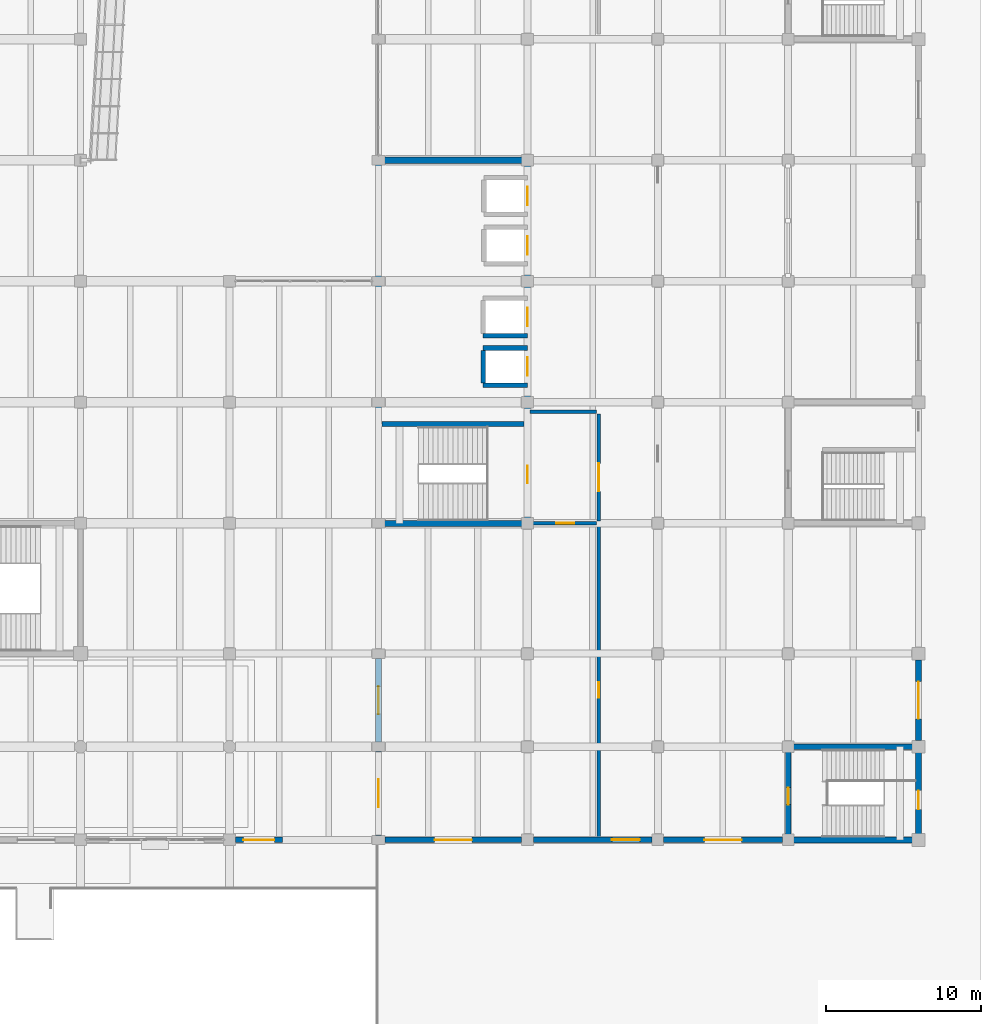
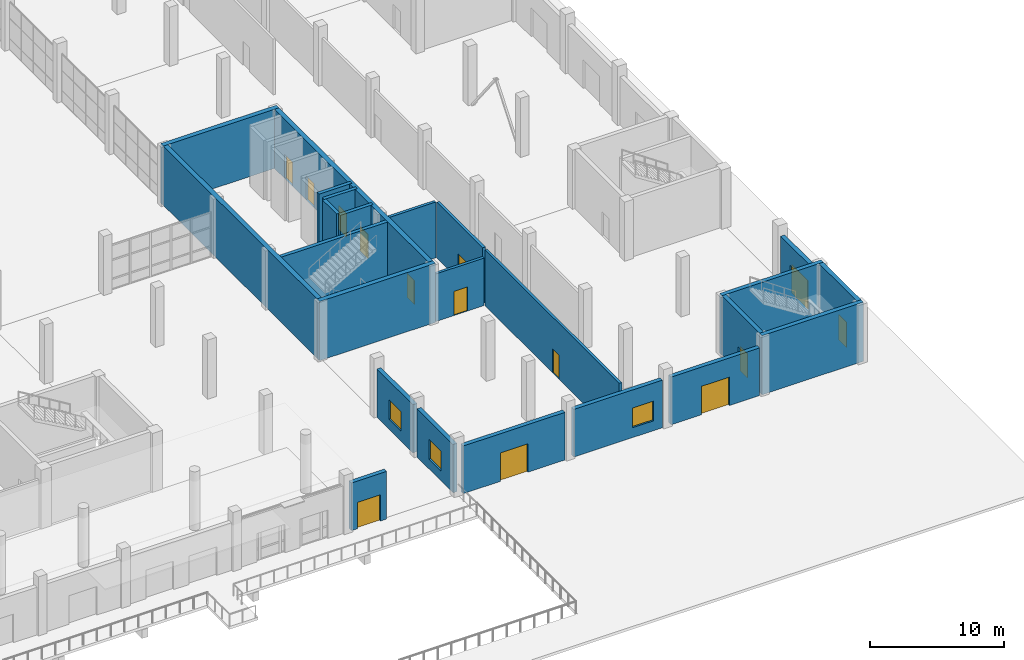
# One storey, part 66 of 78: 24 walls, 14 doors, 3 windows, 17 openings.
"""IFC4 building model written with IfcOpenShell, lengths in metres."""

from ifc_helpers import new_model, si_unit, direction, frame, frame_2d, origin, place, context, subcontext, project, spatial, rectangle, extrude, material, layer, layer_set, type_object, element, fill, save


model = new_model("IFC4")

# Units and contexts
model_context = context("Model", 3, precision=1e-05, world=origin(), true_north=direction((0.0, 1.0)))
body_context = subcontext(model_context, "Body", "Model", "MODEL_VIEW")
ifc_project = project(units=[si_unit("LENGTHUNIT", "METRE"), si_unit("AREAUNIT", "SQUARE_METRE"), si_unit("VOLUMEUNIT", "CUBIC_METRE"), si_unit("PLANEANGLEUNIT", "RADIAN"), si_unit("MASSUNIT", "GRAM", prefix="KILO")], contexts=[model_context])

# Site, building, storey
site_placement = place(None, origin())
site = spatial("IfcSite", under=ifc_project, at=site_placement, CompositionType="ELEMENT")
building_placement = place(site_placement, origin())
building = spatial("IfcBuilding", under=site, at=building_placement, Name="Pellamere Symphony Hall", CompositionType="ELEMENT")
storey_placement = place(building_placement, origin())
storey = spatial("IfcBuildingStorey", under=building, at=storey_placement, Name="L00", CompositionType="ELEMENT", Elevation=0.0)

# Wall, opening, door
ifc_material_1 = material(Name="Precast concrete 40 MPa", Category="concrete")
ifc_layer_1 = layer(ifc_material_1, 0.360107421875, Name="Precast concrete 40 MPa")
ifc_layer_set_1 = layer_set([ifc_layer_1], Name="Precast concrete 40 MPa")
wall_type_1 = type_object("IfcWallType", Name="Exterior Wall EW-01 360mm", PredefinedType="SOLIDWALL", material=ifc_layer_set_1)
wall_1_placement = place(storey_placement, frame((128.77490234375, 18.0, 0.0), z_axis=(0.0, 0.0, 1.0), x_axis=(1.0, 0.0, 0.0)))
wall_1 = element("IfcWall", 1, at=wall_1_placement, inside=storey, type_object=wall_type_1, Name="Exterior Wall EW-01-048 (L00)", PredefinedType="SOLIDWALL", context=body_context, shape_type="SweptSolid", body=[
    extrude(rectangle(XDim=3.025146484375, YDim=0.360107421875, at=frame_2d((1.5126953125, 0.0))), origin(), (0.0, 0.0, 1.0), 4.35009765625),
])
opening_1_placement = place(wall_1_placement, frame((0.512451171875, 0.0, 0.0)))
opening_1 = element("IfcOpeningElement", 2, at=opening_1_placement, cuts=wall_1, Name="Opening E12", PredefinedType="OPENING", context=body_context, shape_type="SweptSolid", body=[
    extrude(rectangle(XDim=2.0, YDim=2.39990234375, at=frame_2d((1.0, 1.199951171875))), frame((0.0, 0.18994140625, 0.0), z_axis=(0.0, -1.0, 0.0), x_axis=(1.0, 0.0, 0.0)), (0.0, 0.0, 1.0), 0.380126953125),
])
ifc_material_2 = material(Name="Thermally Broken Bronze-Anodised Aluminium Acoustic Door", Category="aluminium")
door_type_1 = type_object("IfcDoorType", Name="Exterior Door ED-02 2000x2400", OperationType="NOTDEFINED", PredefinedType="DOOR", material=ifc_material_2)
door_1_placement = place(opening_1_placement, frame((2.0, 0.0, 0.0), z_axis=(0.0, 0.0, 1.0), x_axis=(-1.0, 0.0, 0.0)))
door_1 = element("IfcDoor", 3, at=door_1_placement, inside=storey, type_object=door_type_1, Name="East Promenade Exit Door", OperationType="DOUBLE_DOOR_SINGLE_SWING", OverallHeight=2.39990234375, OverallWidth=2.0, PredefinedType="DOOR", context=body_context, shape_type="SweptSolid", body=[
    extrude(rectangle(XDim=2.0, YDim=2.39990234375, at=frame_2d((1.0, 1.199951171875))), frame((0.0, 0.02490234375, 0.0), z_axis=(0.0, -1.0, 0.0), x_axis=(1.0, 0.0, 0.0)), (0.0, 0.0, 1.0), 0.050048828125),
])
fill(opening_1, door_1)

wall_2_placement = place(storey_placement, frame((138.425048828125, 18.0, 0.0), z_axis=(0.0, 0.0, 1.0), x_axis=(1.0, 0.0, 0.0)))
wall_2 = element("IfcWall", 4, at=wall_2_placement, inside=storey, type_object=wall_type_1, Name="Exterior Wall EW-01-068 (L00)", PredefinedType="SOLIDWALL", context=body_context, shape_type="SweptSolid", body=[
    extrude(rectangle(XDim=8.800048828125, YDim=0.360107421875, at=frame_2d((4.39990234375, 0.0))), origin(), (0.0, 0.0, 1.0), 4.35009765625),
])
opening_2_placement = place(wall_2_placement, frame((3.199951171875, 0.0, 0.0)))
opening_2 = element("IfcOpeningElement", 5, at=opening_2_placement, cuts=wall_2, Name="Opening E13138", PredefinedType="OPENING", context=body_context, shape_type="SweptSolid", body=[
    extrude(rectangle(XDim=2.39990234375, YDim=2.60009765625, at=frame_2d((1.199951171875, 1.300048828125))), frame((0.0, 0.18994140625, 0.0), z_axis=(0.0, -1.0, 0.0), x_axis=(1.0, 0.0, 0.0)), (0.0, 0.0, 1.0), 0.380126953125),
])
door_type_2 = type_object("IfcDoorType", Name="Exterior Door ED-01 2400x2600", OperationType="NOTDEFINED", PredefinedType="DOOR", material=ifc_material_2)
door_2_placement = place(opening_2_placement, frame((2.39990234375, 0.0, 0.0), z_axis=(0.0, 0.0, 1.0), x_axis=(-1.0, 0.0, 0.0)))
door_2 = element("IfcDoor", 6, at=door_2_placement, inside=storey, type_object=door_type_2, Name="Conservatory Wing South Plaza Entrance", OperationType="DOUBLE_DOOR_SINGLE_SWING", OverallHeight=2.60009765625, OverallWidth=2.39990234375, PredefinedType="DOOR", context=body_context, shape_type="SweptSolid", body=[
    extrude(rectangle(XDim=2.39990234375, YDim=2.60009765625, at=frame_2d((1.199951171875, 1.300048828125))), frame((0.0, 0.02490234375, 0.0), z_axis=(0.0, -1.0, 0.0), x_axis=(1.0, 0.0, 0.0)), (0.0, 0.0, 1.0), 0.050048828125),
])
fill(opening_2, door_2)

# Wall, opening, window
wall_3_placement = place(storey_placement, frame((147.97509765625, 18.0, 0.0), z_axis=(0.0, 0.0, 1.0), x_axis=(1.0, 0.0, 0.0)))
wall_3 = element("IfcWall", 7, at=wall_3_placement, inside=storey, type_object=wall_type_1, Name="Exterior Wall EW-01-069 (L00)", PredefinedType="SOLIDWALL", context=body_context, shape_type="SweptSolid", body=[
    extrude(rectangle(XDim=7.64990234375, YDim=0.360107421875, at=frame_2d((3.824951171875, 0.0))), origin(), (0.0, 0.0, 1.0), 4.35009765625),
])
opening_3_placement = place(wall_3_placement, frame((5.06689453125, 0.0, 0.89990234375)))
opening_3 = element("IfcOpeningElement", 8, at=opening_3_placement, cuts=wall_3, Name="Opening W042", PredefinedType="OPENING", context=body_context, shape_type="SweptSolid", body=[
    extrude(rectangle(XDim=1.800048828125, YDim=1.800048828125, at=frame_2d((0.89990234375, 0.89990234375))), frame((0.0, 0.18994140625, 0.0), z_axis=(0.0, -1.0, 0.0), x_axis=(1.0, 0.0, 0.0)), (0.0, 0.0, 1.0), 0.380126953125),
])
ifc_material_3 = material(Name="Thermally Broken Aluminium Triple-Glazed Acoustic Window", Category="aluminium")
window_type = type_object("IfcWindowType", Name="Window WN-03 1800x1800", PartitioningType="DOUBLE_PANEL_VERTICAL", PredefinedType="WINDOW", material=ifc_material_3)
window_1_placement = place(opening_3_placement, origin())
window_1 = element("IfcWindow", 9, at=window_1_placement, inside=storey, type_object=window_type, Name="Exterior Window W042 (L00)", OverallHeight=1.800048828125, OverallWidth=1.800048828125, PartitioningType="SINGLE_PANEL", PredefinedType="WINDOW", context=body_context, shape_type="SweptSolid", body=[
    extrude(rectangle(XDim=1.800048828125, YDim=1.800048828125, at=frame_2d((0.89990234375, 0.89990234375))), frame((0.0, 0.030029296875, 0.0), z_axis=(0.0, -1.0, 0.0), x_axis=(1.0, 0.0, 0.0)), (0.0, 0.0, 1.0), 0.06005859375),
])
fill(opening_3, window_1)

# Wall, opening, door
wall_4_placement = place(storey_placement, frame((156.375, 18.0, 0.0), z_axis=(0.0, 0.0, 1.0), x_axis=(1.0, 0.0, 0.0)))
wall_4 = element("IfcWall", 10, at=wall_4_placement, inside=storey, type_object=wall_type_1, Name="Exterior Wall EW-01-070 (L00)", PredefinedType="SOLIDWALL", context=body_context, shape_type="SweptSolid", body=[
    extrude(rectangle(XDim=7.64990234375, YDim=0.360107421875, at=frame_2d((3.824951171875, 0.0))), origin(), (0.0, 0.0, 1.0), 4.35009765625),
])
opening_4_placement = place(wall_4_placement, frame((2.625, 0.0, 0.0)))
opening_4 = element("IfcOpeningElement", 11, at=opening_4_placement, cuts=wall_4, Name="Opening E13156", PredefinedType="OPENING", context=body_context, shape_type="SweptSolid", body=[
    extrude(rectangle(XDim=2.39990234375, YDim=2.60009765625, at=frame_2d((1.199951171875, 1.300048828125))), frame((0.0, 0.18994140625, 0.0), z_axis=(0.0, -1.0, 0.0), x_axis=(1.0, 0.0, 0.0)), (0.0, 0.0, 1.0), 0.380126953125),
])
door_3_placement = place(opening_4_placement, frame((2.39990234375, 0.0, 0.0), z_axis=(0.0, 0.0, 1.0), x_axis=(-1.0, 0.0, 0.0)))
door_3 = element("IfcDoor", 12, at=door_3_placement, inside=storey, type_object=door_type_2, Name="Conservatory Wing South Plaza Entrance", OperationType="DOUBLE_DOOR_SINGLE_SWING", OverallHeight=2.60009765625, OverallWidth=2.39990234375, PredefinedType="DOOR", context=body_context, shape_type="SweptSolid", body=[
    extrude(rectangle(XDim=2.39990234375, YDim=2.60009765625, at=frame_2d((1.199951171875, 1.300048828125))), frame((0.0, 0.02490234375, 0.0), z_axis=(0.0, -1.0, 0.0), x_axis=(1.0, 0.0, 0.0)), (0.0, 0.0, 1.0), 0.050048828125),
])
fill(opening_4, door_3)

wall_5_placement = place(storey_placement, frame((172.800048828125, 24.409912109375, 0.0), z_axis=(0.0, 0.0, 1.0), x_axis=(0.0, 1.0, 0.0)))
wall_5 = element("IfcWall", 13, at=wall_5_placement, inside=storey, type_object=wall_type_1, Name="Exterior Wall EW-01-073 (L00)", PredefinedType="SOLIDWALL", context=body_context, shape_type="SweptSolid", body=[
    extrude(rectangle(XDim=5.18017578125, YDim=0.360107421875, at=frame_2d((2.590087890625, 0.0))), origin(), (0.0, 0.0, 1.0), 4.39990234375),
])
opening_5_placement = place(wall_5_placement, frame((1.389892578125, 0.0, 0.0)))
opening_5 = element("IfcOpeningElement", 14, at=opening_5_placement, cuts=wall_5, Name="Opening E3024", PredefinedType="OPENING", context=body_context, shape_type="SweptSolid", body=[
    extrude(rectangle(XDim=2.39990234375, YDim=2.60009765625, at=frame_2d((1.199951171875, 1.300048828125))), frame((0.0, 0.18994140625, 0.0), z_axis=(0.0, -1.0, 0.0), x_axis=(1.0, 0.0, 0.0)), (0.0, 0.0, 1.0), 0.380126953125),
])
door_4_placement = place(opening_5_placement, frame((2.39990234375, 0.0, 0.0), z_axis=(0.0, 0.0, 1.0), x_axis=(-1.0, 0.0, 0.0)))
door_4 = element("IfcDoor", 15, at=door_4_placement, inside=storey, type_object=door_type_2, Name="Conservatory Wing East Plaza Exit", OperationType="DOUBLE_DOOR_SINGLE_SWING", OverallHeight=2.60009765625, OverallWidth=2.39990234375, PredefinedType="DOOR", context=body_context, shape_type="SweptSolid", body=[
    extrude(rectangle(XDim=2.39990234375, YDim=2.60009765625, at=frame_2d((1.199951171875, 1.300048828125))), frame((0.0, 0.02490234375, 0.0), z_axis=(0.0, -1.0, 0.0), x_axis=(1.0, 0.0, 0.0)), (0.0, 0.0, 1.0), 0.050048828125),
])
fill(opening_5, door_4)

# Wall, opening, window
wall_6_placement = place(storey_placement, frame((138.0, 18.300048828125, 0.0), z_axis=(0.0, 0.0, 1.0), x_axis=(0.0, 1.0, 0.0)))
wall_6 = element("IfcWall", 16, at=wall_6_placement, inside=storey, type_object=wall_type_1, Name="Exterior Wall EW-01-079 (L00)", PredefinedType="SOLIDWALL", context=body_context, shape_type="SweptSolid", body=[
    extrude(rectangle(XDim=5.39990234375, YDim=0.360107421875, at=frame_2d((2.699951171875, 0.0))), origin(), (0.0, 0.0, 1.0), 4.39990234375),
])
opening_6_placement = place(wall_6_placement, frame((1.800048828125, 0.0, 0.89990234375)))
opening_6 = element("IfcOpeningElement", 17, at=opening_6_placement, cuts=wall_6, Name="Opening W044", PredefinedType="OPENING", context=body_context, shape_type="SweptSolid", body=[
    extrude(rectangle(XDim=1.800048828125, YDim=1.800048828125, at=frame_2d((0.89990234375, 0.89990234375))), frame((0.0, 0.18994140625, 0.0), z_axis=(0.0, -1.0, 0.0), x_axis=(1.0, 0.0, 0.0)), (0.0, 0.0, 1.0), 0.380126953125),
])
window_2_placement = place(opening_6_placement, origin())
window_2 = element("IfcWindow", 18, at=window_2_placement, inside=storey, type_object=window_type, Name="Exterior Window W044 (L00)", OverallHeight=1.800048828125, OverallWidth=1.800048828125, PartitioningType="SINGLE_PANEL", PredefinedType="WINDOW", context=body_context, shape_type="SweptSolid", body=[
    extrude(rectangle(XDim=1.800048828125, YDim=1.800048828125, at=frame_2d((0.89990234375, 0.89990234375))), frame((0.0, 0.030029296875, 0.0), z_axis=(0.0, -1.0, 0.0), x_axis=(1.0, 0.0, 0.0)), (0.0, 0.0, 1.0), 0.06005859375),
])
fill(opening_6, window_2)

wall_7_placement = place(storey_placement, frame((138.0, 24.300048828125, 0.0), z_axis=(0.0, 0.0, 1.0), x_axis=(0.0, 1.0, 0.0)))
wall_7 = element("IfcWall", 19, at=wall_7_placement, inside=storey, type_object=wall_type_1, Name="Exterior Wall EW-01-080 (L00)", PredefinedType="SOLIDWALL", context=body_context, shape_type="SweptSolid", body=[
    extrude(rectangle(XDim=5.39990234375, YDim=0.360107421875, at=frame_2d((2.699951171875, 0.0))), origin(), (0.0, 0.0, 1.0), 4.39990234375),
])
opening_7_placement = place(wall_7_placement, frame((1.800048828125, 0.0, 0.89990234375)))
opening_7 = element("IfcOpeningElement", 20, at=opening_7_placement, cuts=wall_7, Name="Opening W045", PredefinedType="OPENING", context=body_context, shape_type="SweptSolid", body=[
    extrude(rectangle(XDim=1.800048828125, YDim=1.800048828125, at=frame_2d((0.89990234375, 0.89990234375))), frame((0.0, 0.18994140625, 0.0), z_axis=(0.0, -1.0, 0.0), x_axis=(1.0, 0.0, 0.0)), (0.0, 0.0, 1.0), 0.380126953125),
])
window_3_placement = place(opening_7_placement, origin())
window_3 = element("IfcWindow", 21, at=window_3_placement, inside=storey, type_object=window_type, Name="Exterior Window W045 (L00)", OverallHeight=1.800048828125, OverallWidth=1.800048828125, PartitioningType="SINGLE_PANEL", PredefinedType="WINDOW", context=body_context, shape_type="SweptSolid", body=[
    extrude(rectangle(XDim=1.800048828125, YDim=1.800048828125, at=frame_2d((0.89990234375, 0.89990234375))), frame((0.0, 0.030029296875, 0.0), z_axis=(0.0, -1.0, 0.0), x_axis=(1.0, 0.0, 0.0)), (0.0, 0.0, 1.0), 0.06005859375),
])
fill(opening_7, window_3)

# Wall, opening, door
ifc_material_4 = material(Name="Double-Stud STC-65 Acoustic Drywall Partition", Category="gypsum")
ifc_layer_2 = layer(ifc_material_4, 0.239990234375, Name="Double-Stud STC-65 Acoustic Drywall Partition")
ifc_layer_set_2 = layer_set([ifc_layer_2], Name="Double-Stud STC-65 Acoustic Drywall Partition")
wall_type_2 = type_object("IfcWallType", Name="Interior Partition IW-01 240mm", PredefinedType="PARTITIONING", material=ifc_layer_set_2)
wall_8_placement = place(storey_placement, frame((147.760009765625, 38.39990234375, 0.0), z_axis=(0.0, 0.0, 1.0), x_axis=(1.0, 0.0, 0.0)))
wall_8 = element("IfcWall", 22, at=wall_8_placement, inside=storey, type_object=wall_type_2, Name="Interior Partition IW-01-023 (L00)", PredefinedType="PARTITIONING", context=body_context, shape_type="SweptSolid", body=[
    extrude(rectangle(XDim=4.280029296875, YDim=0.239990234375, at=frame_2d((2.14013671875, 0.0))), origin(), (0.0, 0.0, 1.0), 4.340087890625),
])
opening_8_placement = place(wall_8_placement, frame((1.699951171875, 0.0, 0.0)))
opening_8 = element("IfcOpeningElement", 23, at=opening_8_placement, cuts=wall_8, Name="Opening FD-11", PredefinedType="OPENING", context=body_context, shape_type="SweptSolid", body=[
    extrude(rectangle(XDim=1.14990234375, YDim=2.199951171875, at=frame_2d((0.574951171875, 1.10009765625))), frame((0.0, 0.1298828125, 0.0), z_axis=(0.0, -1.0, 0.0), x_axis=(1.0, 0.0, 0.0)), (0.0, 0.0, 1.0), 0.260009765625),
])
ifc_material_5 = material(Name="Fire-Rated Steel Exit Stair Door Wide", Category="steel")
door_type_3 = type_object("IfcDoorType", Name="Interior Door ID-SD2 1150x2200", OperationType="NOTDEFINED", PredefinedType="DOOR", material=ifc_material_5)
door_5_placement = place(opening_8_placement, frame((1.14990234375, 0.0, 0.0), z_axis=(0.0, 0.0, 1.0), x_axis=(-1.0, 0.0, 0.0)))
door_5 = element("IfcDoor", 24, at=door_5_placement, inside=storey, type_object=door_type_3, Name="Protected Exit Passage Door C2 (L00)", OperationType="SINGLE_SWING_LEFT", OverallHeight=2.199951171875, OverallWidth=1.14990234375, PredefinedType="DOOR", context=body_context, shape_type="SweptSolid", body=[
    extrude(rectangle(XDim=1.14990234375, YDim=2.199951171875, at=frame_2d((0.574951171875, 1.10009765625))), frame((0.0, 0.02490234375, 0.0), z_axis=(0.0, -1.0, 0.0), x_axis=(1.0, 0.0, 0.0)), (0.0, 0.0, 1.0), 0.050048828125),
])
fill(opening_8, door_5)

# Wall
wall_9_placement = place(storey_placement, frame((147.760009765625, 45.60009765625, 0.0), z_axis=(0.0, 0.0, 1.0), x_axis=(1.0, 0.0, 0.0)))
element("IfcWall", 25, at=wall_9_placement, inside=storey, type_object=wall_type_2, Name="Interior Partition IW-01-024 (L00)", PredefinedType="PARTITIONING", context=body_context, shape_type="SweptSolid", body=[
    extrude(rectangle(XDim=4.280029296875, YDim=0.239990234375, at=frame_2d((2.14013671875, 0.0))), origin(), (0.0, 0.0, 1.0), 5.090087890625),
])

# Wall, opening, door
wall_10_placement = place(storey_placement, frame((152.199951171875, 38.56005859375, 0.0), z_axis=(0.0, 0.0, 1.0), x_axis=(0.0, 1.0, 0.0)))
wall_10 = element("IfcWall", 26, at=wall_10_placement, inside=storey, type_object=wall_type_2, Name="Interior Partition IW-01-025 (L00)", PredefinedType="PARTITIONING", context=body_context, shape_type="SweptSolid", body=[
    extrude(rectangle(XDim=6.8798828125, YDim=0.239990234375, at=frame_2d((3.43994140625, 0.0))), origin(), (0.0, 0.0, 1.0), 5.090087890625),
])
opening_9_placement = place(wall_10_placement, frame((1.89990234375, 0.0, 0.0)))
opening_9 = element("IfcOpeningElement", 27, at=opening_9_placement, cuts=wall_10, Name="Opening FD-10", PredefinedType="OPENING", context=body_context, shape_type="SweptSolid", body=[
    extrude(rectangle(XDim=1.800048828125, YDim=2.300048828125, at=frame_2d((0.89990234375, 1.14990234375))), frame((0.0, 0.1298828125, 0.0), z_axis=(0.0, -1.0, 0.0), x_axis=(1.0, 0.0, 0.0)), (0.0, 0.0, 1.0), 0.260009765625),
])
ifc_material_6 = material(Name="Fire-Rated Cross-Corridor Double Door", Category="wood")
door_type_4 = type_object("IfcDoorType", Name="Interior Door ID-FD1 1800x2300", OperationType="NOTDEFINED", PredefinedType="DOOR", material=ifc_material_6)
door_6_placement = place(opening_9_placement, frame((1.800048828125, 0.0, 0.0), z_axis=(0.0, 0.0, 1.0), x_axis=(-1.0, 0.0, 0.0)))
door_6 = element("IfcDoor", 28, at=door_6_placement, inside=storey, type_object=door_type_4, Name="Firefighting Lobby C2 Foyer Entry Door (L00)", OperationType="DOUBLE_DOOR_SINGLE_SWING", OverallHeight=2.300048828125, OverallWidth=1.800048828125, PredefinedType="DOOR", context=body_context, shape_type="SweptSolid", body=[
    extrude(rectangle(XDim=1.800048828125, YDim=2.300048828125, at=frame_2d((0.89990234375, 1.14990234375))), frame((0.0, 0.02490234375, 0.0), z_axis=(0.0, -1.0, 0.0), x_axis=(1.0, 0.0, 0.0)), (0.0, 0.0, 1.0), 0.050048828125),
])
fill(opening_9, door_6)

ifc_material_7 = material(Name="Protected Exit Passageway Shaftwall Partition", Category="gypsum")
ifc_layer_3 = layer(ifc_material_7, 0.219970703125, Name="Protected Exit Passageway Shaftwall Partition")
ifc_layer_set_3 = layer_set([ifc_layer_3], Name="Protected Exit Passageway Shaftwall Partition")
wall_type_3 = type_object("IfcWallType", Name="Interior Partition IW-07 220mm", PredefinedType="PARTITIONING", material=ifc_layer_set_3)
wall_11_placement = place(storey_placement, frame((152.199951171875, 18.159912109375, 0.0), z_axis=(0.0, 0.0, 1.0), x_axis=(0.0, 1.0, 0.0)))
wall_11 = element("IfcWall", 29, at=wall_11_placement, inside=storey, type_object=wall_type_3, Name="Interior Partition IW-07-026 (L00)", PredefinedType="PARTITIONING", context=body_context, shape_type="SweptSolid", body=[
    extrude(rectangle(XDim=20.080078125, YDim=0.219970703125, at=frame_2d((10.0400390625, 0.0))), origin(), (0.0, 0.0, 1.0), 5.090087890625),
])
opening_10_placement = place(wall_11_placement, frame((9.0, 0.0, 0.0)))
opening_10 = element("IfcOpeningElement", 30, at=opening_10_placement, cuts=wall_11, Name="Opening FD-12", PredefinedType="OPENING", context=body_context, shape_type="SweptSolid", body=[
    extrude(rectangle(XDim=1.0, YDim=2.199951171875, at=frame_2d((0.5, 1.10009765625))), frame((0.0, 0.119873046875, 0.0), z_axis=(0.0, -1.0, 0.0), x_axis=(1.0, 0.0, 0.0)), (0.0, 0.0, 1.0), 0.239990234375),
])
ifc_material_8 = material(Name="Fire-Rated Plant and Riser Door", Category="steel")
door_type_5 = type_object("IfcDoorType", Name="Interior Door ID-FD2 1000x2200", OperationType="NOTDEFINED", PredefinedType="DOOR", material=ifc_material_8)
door_7_placement = place(opening_10_placement, origin())
door_7 = element("IfcDoor", 31, at=door_7_placement, inside=storey, type_object=door_type_5, Name="Exit Passage C2 Corridor Door", OperationType="SINGLE_SWING_LEFT", OverallHeight=2.199951171875, OverallWidth=1.0, PredefinedType="DOOR", context=body_context, shape_type="SweptSolid", body=[
    extrude(rectangle(XDim=1.0, YDim=2.199951171875, at=frame_2d((0.5, 1.10009765625))), frame((0.0, 0.02490234375, 0.0), z_axis=(0.0, -1.0, 0.0), x_axis=(1.0, 0.0, 0.0)), (0.0, 0.0, 1.0), 0.050048828125),
])
fill(opening_10, door_7)

# Walls
ifc_material_9 = material(Name="Concrete 50 MPa", Category="concrete")
ifc_layer_4 = layer(ifc_material_9, 0.39990234375, Name="Concrete 50 MPa")
ifc_layer_set_4 = layer_set([ifc_layer_4], Name="Concrete 50 MPa")
wall_type_4 = type_object("IfcWallType", Name="Structural Wall SW-02 400mm", PredefinedType="SHEAR", material=ifc_layer_set_4)
for number, where, z_axis, x_axis, name in (
    (32, (137.800048828125, 38.39990234375, 0.0), (0.0, 0.0, 1.0), (1.0, 0.0, 0.0), "Core Shear Wall C2 S (L00)"),
    (33, (137.800048828125, 61.800048828125, 0.0), (0.0, 0.0, 1.0), (1.0, 0.0, 0.0), "Core Shear Wall C2 N (L00)"),
):
    element("IfcWall", number, at=place(storey_placement, frame(where, z_axis=z_axis, x_axis=x_axis)), inside=storey, type_object=wall_type_4, Name=name, PredefinedType="SHEAR", context=body_context, shape_type="SweptSolid", body=[
        extrude(rectangle(XDim=10.0, YDim=0.39990234375, at=frame_2d((5.0, 0.0))), origin(), (0.0, 0.0, 1.0), 5.39990234375),
    ])
wall_12_placement = place(storey_placement, frame((138.0, 38.60009765625, 0.0), z_axis=(0.0, 0.0, 1.0), x_axis=(0.0, 1.0, 0.0)))
element("IfcWall", 34, at=wall_12_placement, inside=storey, type_object=wall_type_4, Name="Core Shear Wall C2 W (L00)", PredefinedType="SHEAR", context=body_context, shape_type="SweptSolid", body=[
    extrude(rectangle(XDim=23.0, YDim=0.39990234375, at=frame_2d((11.5, 0.0))), origin(), (0.0, 0.0, 1.0), 5.39990234375),
])

# Wall, openings, doors
wall_13_placement = place(storey_placement, frame((147.60009765625, 38.60009765625, 0.0), z_axis=(0.0, 0.0, 1.0), x_axis=(0.0, 1.0, 0.0)))
wall_13 = element("IfcWall", 35, at=wall_13_placement, inside=storey, type_object=wall_type_4, Name="Core Shear Wall C2 E (L00)", PredefinedType="SHEAR", context=body_context, shape_type="SweptSolid", body=[
    extrude(rectangle(XDim=23.0, YDim=0.39990234375, at=frame_2d((11.5, 0.0))), origin(), (0.0, 0.0, 1.0), 5.39990234375),
])
opening_11_placement = place(wall_13_placement, frame((9.300048828125, 0.0, 0.0)))
opening_11 = element("IfcOpeningElement", 36, at=opening_11_placement, cuts=wall_13, Name="Opening LD-14", PredefinedType="OPENING", context=body_context, shape_type="SweptSolid", body=[
    extrude(rectangle(XDim=1.199951171875, YDim=2.199951171875, at=frame_2d((0.60009765625, 1.10009765625))), frame((0.0, 0.2099609375, 0.0), z_axis=(0.0, -1.0, 0.0), x_axis=(1.0, 0.0, 0.0)), (0.0, 0.0, 1.0), 0.419921875),
])
opening_12_placement = place(wall_13_placement, frame((12.5, 0.0, 0.0)))
opening_12 = element("IfcOpeningElement", 37, at=opening_12_placement, cuts=wall_13, Name="Opening LD-22", PredefinedType="OPENING", context=body_context, shape_type="SweptSolid", body=[
    extrude(rectangle(XDim=1.199951171875, YDim=2.199951171875, at=frame_2d((0.60009765625, 1.10009765625))), frame((0.0, 0.2099609375, 0.0), z_axis=(0.0, -1.0, 0.0), x_axis=(1.0, 0.0, 0.0)), (0.0, 0.0, 1.0), 0.419921875),
])
opening_13_placement = place(wall_13_placement, frame((17.10009765625, 0.0, 0.0)))
opening_13 = element("IfcOpeningElement", 38, at=opening_13_placement, cuts=wall_13, Name="Opening LD-30", PredefinedType="OPENING", context=body_context, shape_type="SweptSolid", body=[
    extrude(rectangle(XDim=1.199951171875, YDim=2.199951171875, at=frame_2d((0.60009765625, 1.10009765625))), frame((0.0, 0.2099609375, 0.0), z_axis=(0.0, -1.0, 0.0), x_axis=(1.0, 0.0, 0.0)), (0.0, 0.0, 1.0), 0.419921875),
])
opening_14_placement = place(wall_13_placement, frame((20.300048828125, 0.0, 0.0)))
opening_14 = element("IfcOpeningElement", 39, at=opening_14_placement, cuts=wall_13, Name="Opening LD-37", PredefinedType="OPENING", context=body_context, shape_type="SweptSolid", body=[
    extrude(rectangle(XDim=1.199951171875, YDim=2.199951171875, at=frame_2d((0.60009765625, 1.10009765625))), frame((0.0, 0.2099609375, 0.0), z_axis=(0.0, -1.0, 0.0), x_axis=(1.0, 0.0, 0.0)), (0.0, 0.0, 1.0), 0.419921875),
])
opening_15_placement = place(wall_13_placement, frame((2.39990234375, 0.0, 0.0)))
opening_15 = element("IfcOpeningElement", 40, at=opening_15_placement, cuts=wall_13, Name="Opening SD-08", PredefinedType="OPENING", context=body_context, shape_type="SweptSolid", body=[
    extrude(rectangle(XDim=1.10009765625, YDim=2.199951171875, at=frame_2d((0.550048828125, 1.10009765625))), frame((0.0, 0.2099609375, 0.0), z_axis=(0.0, -1.0, 0.0), x_axis=(1.0, 0.0, 0.0)), (0.0, 0.0, 1.0), 0.419921875),
])
ifc_material_10 = material(Name="Stainless Steel AISI 316 Elevator Landing Door", Category="steel")
door_type_6 = type_object("IfcDoorType", Name="Interior Door ID-LD1 1200x2200", OperationType="NOTDEFINED", PredefinedType="DOOR", material=ifc_material_10)
door_8_placement = place(opening_11_placement, origin())
door_8 = element("IfcDoor", 41, at=door_8_placement, inside=storey, type_object=door_type_6, Name="Elevator FFL1 Sliding Landing Door (L00)", OperationType="SLIDING_TO_RIGHT", OverallHeight=2.199951171875, OverallWidth=1.199951171875, PredefinedType="DOOR", context=body_context, shape_type="SweptSolid", body=[
    extrude(rectangle(XDim=1.199951171875, YDim=2.199951171875, at=frame_2d((0.60009765625, 1.10009765625))), frame((0.0, 0.02490234375, 0.0), z_axis=(0.0, -1.0, 0.0), x_axis=(1.0, 0.0, 0.0)), (0.0, 0.0, 1.0), 0.050048828125),
])
fill(opening_11, door_8)
door_9_placement = place(opening_12_placement, origin())
door_9 = element("IfcDoor", 42, at=door_9_placement, inside=storey, type_object=door_type_6, Name="Elevator FFL2 Sliding Landing Door (L00)", OperationType="SLIDING_TO_RIGHT", OverallHeight=2.199951171875, OverallWidth=1.199951171875, PredefinedType="DOOR", context=body_context, shape_type="SweptSolid", body=[
    extrude(rectangle(XDim=1.199951171875, YDim=2.199951171875, at=frame_2d((0.60009765625, 1.10009765625))), frame((0.0, 0.02490234375, 0.0), z_axis=(0.0, -1.0, 0.0), x_axis=(1.0, 0.0, 0.0)), (0.0, 0.0, 1.0), 0.050048828125),
])
fill(opening_12, door_9)
door_10_placement = place(opening_13_placement, origin())
door_10 = element("IfcDoor", 43, at=door_10_placement, inside=storey, type_object=door_type_6, Name="Elevator PL3 Sliding Landing Door (L00)", OperationType="SLIDING_TO_RIGHT", OverallHeight=2.199951171875, OverallWidth=1.199951171875, PredefinedType="DOOR", context=body_context, shape_type="SweptSolid", body=[
    extrude(rectangle(XDim=1.199951171875, YDim=2.199951171875, at=frame_2d((0.60009765625, 1.10009765625))), frame((0.0, 0.02490234375, 0.0), z_axis=(0.0, -1.0, 0.0), x_axis=(1.0, 0.0, 0.0)), (0.0, 0.0, 1.0), 0.050048828125),
])
fill(opening_13, door_10)
door_11_placement = place(opening_14_placement, origin())
door_11 = element("IfcDoor", 44, at=door_11_placement, inside=storey, type_object=door_type_6, Name="Elevator PL4 Sliding Landing Door (L00)", OperationType="SLIDING_TO_LEFT", OverallHeight=2.199951171875, OverallWidth=1.199951171875, PredefinedType="DOOR", context=body_context, shape_type="SweptSolid", body=[
    extrude(rectangle(XDim=1.199951171875, YDim=2.199951171875, at=frame_2d((0.60009765625, 1.10009765625))), frame((0.0, 0.02490234375, 0.0), z_axis=(0.0, -1.0, 0.0), x_axis=(1.0, 0.0, 0.0)), (0.0, 0.0, 1.0), 0.050048828125),
])
fill(opening_14, door_11)
ifc_material_11 = material(Name="Fire-Rated Steel Exit Stair Door", Category="steel")
door_type_7 = type_object("IfcDoorType", Name="Interior Door ID-SD1 1100x2200", OperationType="NOTDEFINED", PredefinedType="DOOR", material=ifc_material_11)
door_12_placement = place(opening_15_placement, frame((1.10009765625, 0.0, 0.0), z_axis=(0.0, 0.0, 1.0), x_axis=(-1.0, 0.0, 0.0)))
door_12 = element("IfcDoor", 45, at=door_12_placement, inside=storey, type_object=door_type_7, Name="Core C2 Exit Stair Door (L00)", OperationType="SINGLE_SWING_RIGHT", OverallHeight=2.199951171875, OverallWidth=1.10009765625, PredefinedType="DOOR", context=body_context, shape_type="SweptSolid", body=[
    extrude(rectangle(XDim=1.10009765625, YDim=2.199951171875, at=frame_2d((0.550048828125, 1.10009765625))), frame((0.0, 0.02490234375, 0.0), z_axis=(0.0, -1.0, 0.0), x_axis=(1.0, 0.0, 0.0)), (0.0, 0.0, 1.0), 0.050048828125),
])
fill(opening_15, door_12)

# Wall
ifc_material_12 = material(Name="Concrete 40 MPa", Category="concrete")
ifc_layer_5 = layer(ifc_material_12, 0.35009765625, Name="Concrete 40 MPa")
ifc_layer_set_5 = layer_set([ifc_layer_5], Name="Concrete 40 MPa")
wall_type_5 = type_object("IfcWallType", Name="Structural Wall SW-03 350mm", PredefinedType="SHEAR", material=ifc_layer_set_5)
wall_14_placement = place(storey_placement, frame((164.22509765625, 24.0, 0.0), z_axis=(0.0, 0.0, 1.0), x_axis=(1.0, 0.0, 0.0)))
element("IfcWall", 46, at=wall_14_placement, inside=storey, type_object=wall_type_5, Name="Stair ST12 Enclosure Wall N (L00)", PredefinedType="SHEAR", context=body_context, shape_type="SweptSolid", body=[
    extrude(rectangle(XDim=8.75, YDim=0.35009765625, at=frame_2d((4.375, 0.0))), origin(), (0.0, 0.0, 1.0), 5.39990234375),
])

# Wall, opening, door
wall_15_placement = place(storey_placement, frame((164.39990234375, 18.175048828125, 0.0), z_axis=(0.0, 0.0, 1.0), x_axis=(0.0, 1.0, 0.0)))
wall_15 = element("IfcWall", 47, at=wall_15_placement, inside=storey, type_object=wall_type_5, Name="Stair ST12 Enclosure Wall W (L00)", PredefinedType="SHEAR", context=body_context, shape_type="SweptSolid", body=[
    extrude(rectangle(XDim=5.64990234375, YDim=0.35009765625, at=frame_2d((2.824951171875, 0.0))), origin(), (0.0, 0.0, 1.0), 5.39990234375),
])
opening_16_placement = place(wall_15_placement, frame((2.10009765625, 0.0, 0.0)))
opening_16 = element("IfcOpeningElement", 48, at=opening_16_placement, cuts=wall_15, Name="Opening SD-56", PredefinedType="OPENING", context=body_context, shape_type="SweptSolid", body=[
    extrude(rectangle(XDim=1.10009765625, YDim=2.199951171875, at=frame_2d((0.550048828125, 1.10009765625))), frame((0.0, 0.18505859375, 0.0), z_axis=(0.0, -1.0, 0.0), x_axis=(1.0, 0.0, 0.0)), (0.0, 0.0, 1.0), 0.3701171875),
])
door_13_placement = place(opening_16_placement, origin())
door_13 = element("IfcDoor", 49, at=door_13_placement, inside=storey, type_object=door_type_7, Name="Exit Stair ST12 Door (L00)", OperationType="SINGLE_SWING_RIGHT", OverallHeight=2.199951171875, OverallWidth=1.10009765625, PredefinedType="DOOR", context=body_context, shape_type="SweptSolid", body=[
    extrude(rectangle(XDim=1.10009765625, YDim=2.199951171875, at=frame_2d((0.550048828125, 1.10009765625))), frame((0.0, 0.02490234375, 0.0), z_axis=(0.0, -1.0, 0.0), x_axis=(1.0, 0.0, 0.0)), (0.0, 0.0, 1.0), 0.050048828125),
])
fill(opening_16, door_13)

# Walls
ifc_layer_6 = layer(ifc_material_12, 0.300048828125, Name="Concrete 40 MPa")
ifc_layer_set_6 = layer_set([ifc_layer_6], Name="Concrete 40 MPa")
wall_type_6 = type_object("IfcWallType", Name="Structural Wall SW-04 300mm", PredefinedType="SHEAR", material=ifc_layer_set_6)
for number, where, z_axis, x_axis, name in (
    (50, (144.75, 47.300048828125, 0.0), (0.0, 0.0, 1.0), (1.0, 0.0, 0.0), "Elevator FFL1 Hoistway Wall S (L00)"),
    (51, (144.75, 49.699951171875, 0.0), (0.0, 0.0, 1.0), (1.0, 0.0, 0.0), "Elevator FFL1 Hoistway Wall N (L00)"),
):
    element("IfcWall", number, at=place(storey_placement, frame(where, z_axis=z_axis, x_axis=x_axis)), inside=storey, type_object=wall_type_6, Name=name, PredefinedType="SHEAR", context=body_context, shape_type="SweptSolid", body=[
        extrude(rectangle(XDim=2.85009765625, YDim=0.300048828125, at=frame_2d((1.425048828125, 0.0))), origin(), (0.0, 0.0, 1.0), 5.39990234375),
    ])
wall_16_placement = place(storey_placement, frame((144.75, 47.449951171875, 0.0), z_axis=(0.0, 0.0, 1.0), x_axis=(0.0, 1.0, 0.0)))
element("IfcWall", 52, at=wall_16_placement, inside=storey, type_object=wall_type_6, Name="Elevator FFL1 Hoistway Wall W (L00)", PredefinedType="SHEAR", context=body_context, shape_type="SweptSolid", body=[
    extrude(rectangle(XDim=2.10009765625, YDim=0.300048828125, at=frame_2d((1.050048828125, 0.0))), origin(), (0.0, 0.0, 1.0), 5.39990234375),
])
wall_17_placement = place(storey_placement, frame((144.75, 50.5, 0.0), z_axis=(0.0, 0.0, 1.0), x_axis=(1.0, 0.0, 0.0)))
element("IfcWall", 53, at=wall_17_placement, inside=storey, type_object=wall_type_6, Name="Elevator FFL2 Hoistway Wall S (L00)", PredefinedType="SHEAR", context=body_context, shape_type="SweptSolid", body=[
    extrude(rectangle(XDim=2.85009765625, YDim=0.300048828125, at=frame_2d((1.425048828125, 0.0))), origin(), (0.0, 0.0, 1.0), 5.39990234375),
])
ifc_layer_7 = layer(ifc_material_12, 0.3798828125, Name="Concrete 40 MPa")
ifc_layer_set_7 = layer_set([ifc_layer_7], Name="Concrete 40 MPa")
wall_type_7 = type_object("IfcWallType", Name="Structural Wall SW-07 380mm", PredefinedType="SHEAR", material=ifc_layer_set_7)
wall_18_placement = place(storey_placement, frame((164.22509765625, 18.0, 0.0), z_axis=(0.0, 0.0, 1.0), x_axis=(1.0, 0.0, 0.0)))
element("IfcWall", 54, at=wall_18_placement, inside=storey, type_object=wall_type_7, Name="Stair ST12 Enclosure Wall S (L00)", PredefinedType="SHEAR", context=body_context, shape_type="SweptSolid", body=[
    extrude(rectangle(XDim=8.75, YDim=0.3798828125, at=frame_2d((4.375, 0.0))), origin(), (0.0, 0.0, 1.0), 5.39990234375),
])

# Wall, opening, door
wall_19_placement = place(storey_placement, frame((172.800048828125, 18.175048828125, 0.0), z_axis=(0.0, 0.0, 1.0), x_axis=(0.0, 1.0, 0.0)))
wall_19 = element("IfcWall", 55, at=wall_19_placement, inside=storey, type_object=wall_type_7, Name="Stair ST12 Enclosure Wall E (L00)", PredefinedType="SHEAR", context=body_context, shape_type="SweptSolid", body=[
    extrude(rectangle(XDim=5.64990234375, YDim=0.3798828125, at=frame_2d((2.824951171875, 0.0))), origin(), (0.0, 0.0, 1.0), 5.39990234375),
])
opening_17_placement = place(wall_19_placement, frame((1.800048828125, 0.0, 0.0)))
opening_17 = element("IfcOpeningElement", 56, at=opening_17_placement, cuts=wall_19, Name="Opening E36", PredefinedType="OPENING", context=body_context, shape_type="SweptSolid", body=[
    extrude(rectangle(XDim=1.199951171875, YDim=2.300048828125, at=frame_2d((0.60009765625, 1.14990234375))), frame((0.0, 0.199951171875, 0.0), z_axis=(0.0, -1.0, 0.0), x_axis=(1.0, 0.0, 0.0)), (0.0, 0.0, 1.0), 0.39990234375),
])
door_type_8 = type_object("IfcDoorType", Name="Exterior Door ED-04 1200x2300", OperationType="NOTDEFINED", PredefinedType="DOOR", material=ifc_material_2)
door_14_placement = place(opening_17_placement, frame((1.199951171875, 0.0, 0.0), z_axis=(0.0, 0.0, 1.0), x_axis=(-1.0, 0.0, 0.0)))
door_14 = element("IfcDoor", 57, at=door_14_placement, inside=storey, type_object=door_type_8, Name="Stair ST12 Direct East Street Exit", OperationType="SINGLE_SWING_LEFT", OverallHeight=2.300048828125, OverallWidth=1.199951171875, PredefinedType="DOOR", context=body_context, shape_type="SweptSolid", body=[
    extrude(rectangle(XDim=1.199951171875, YDim=2.300048828125, at=frame_2d((0.60009765625, 1.14990234375))), frame((0.0, 0.02490234375, 0.0), z_axis=(0.0, -1.0, 0.0), x_axis=(1.0, 0.0, 0.0)), (0.0, 0.0, 1.0), 0.050048828125),
])
fill(opening_17, door_14)

# Wall
ifc_layer_8 = layer(ifc_material_12, 0.31005859375, Name="Concrete 40 MPa")
ifc_layer_set_8 = layer_set([ifc_layer_8], Name="Concrete 40 MPa")
wall_type_8 = type_object("IfcWallType", Name="Structural Wall SW-08 310mm", PredefinedType="SHEAR", material=ifc_layer_set_8)
wall_20_placement = place(storey_placement, frame((138.219970703125, 44.800048828125, 0.0), z_axis=(0.0, 0.0, 1.0), x_axis=(1.0, 0.0, 0.0)))
element("IfcWall", 58, at=wall_20_placement, inside=storey, type_object=wall_type_8, Name="Core Stair Divider Wall C2 (L00)", PredefinedType="SHEAR", context=body_context, shape_type="SweptSolid", body=[
    extrude(rectangle(XDim=9.159912109375, YDim=0.31005859375, at=frame_2d((4.580078125, 0.0))), origin(), (0.0, 0.0, 1.0), 5.39990234375),
])

save(model, "model.ifc")
